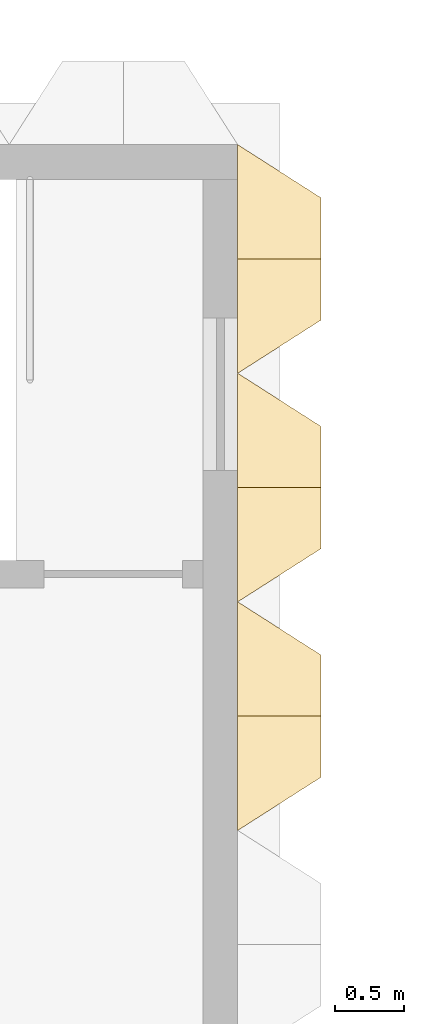
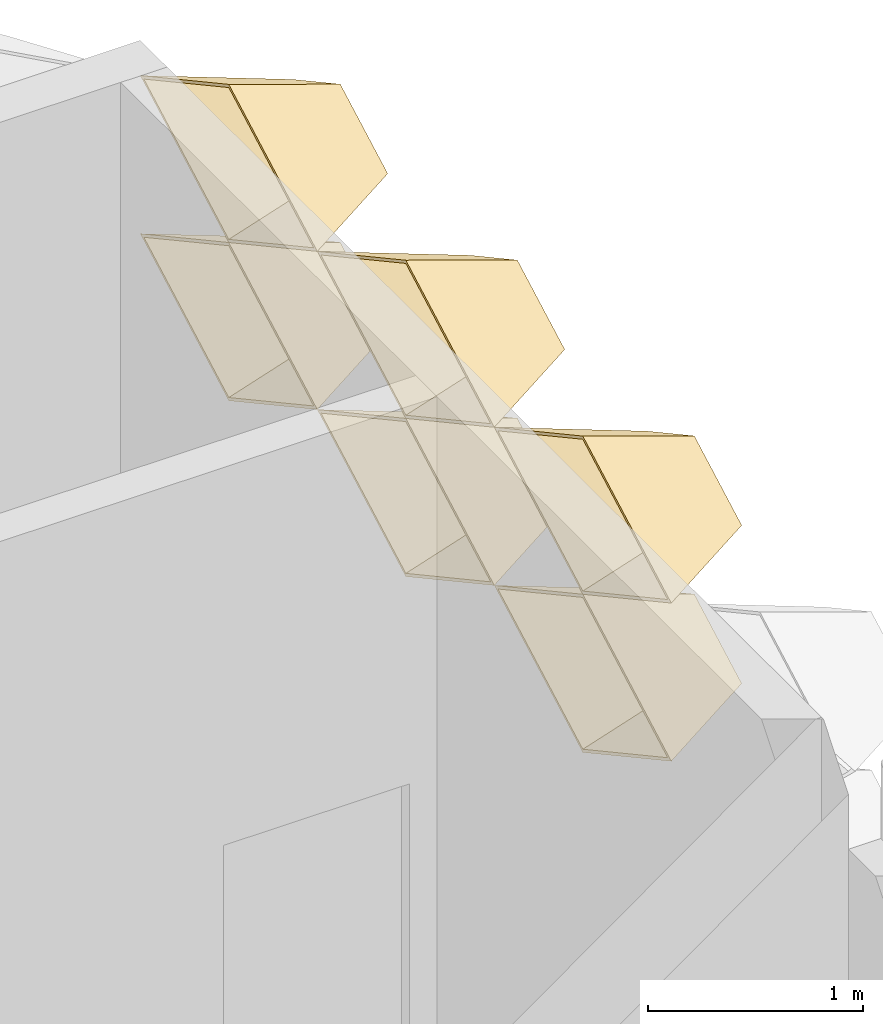
# One storey, part 84 of 85: 6 coverings.
"""IFC4 building model written with IfcOpenShell, lengths in metres."""

from ifc_helpers import new_model, entity, si_unit, direction, frame, origin, place, context, subcontext, project, spatial, material, layer, layer_set, type_object, element, save


model = new_model("IFC4")

# Units and contexts
model_context = context("Model", 3, precision=1e-05, world=origin(), true_north=direction((0.0, 1.0)))
body_context = subcontext(model_context, "Body", "Model", "MODEL_VIEW")
ifc_project = project(units=[si_unit("LENGTHUNIT", "METRE"), si_unit("AREAUNIT", "SQUARE_METRE"), si_unit("VOLUMEUNIT", "CUBIC_METRE"), si_unit("PLANEANGLEUNIT", "RADIAN"), si_unit("MASSUNIT", "GRAM", prefix="KILO")], contexts=[model_context])

# Site, building, storey
site_placement = place(None, origin())
site = spatial("IfcSite", under=ifc_project, at=site_placement, CompositionType="ELEMENT")
building_placement = place(site_placement, origin())
building = spatial("IfcBuilding", under=site, at=building_placement, Name="Lantern Court Research Institute", CompositionType="ELEMENT")
storey_placement = place(building_placement, frame((0.0, 0.0, 18.89990234375)))
storey = spatial("IfcBuildingStorey", under=building, at=storey_placement, Name="L04", CompositionType="ELEMENT", Elevation=18.89990234375)

# Coverings
ifc_material = material(Name="Anodised aluminium", Category="aluminium")
ifc_layer = layer(ifc_material, 0.01611328125)
ifc_layer_set = layer_set([ifc_layer], Name="Anodised aluminium")
covering_type = type_object("IfcCoveringType", Name="Fin cassette 1650 x 900 x 600 aluminium", PredefinedType="CLADDING", material=ifc_layer_set)
covering_1_placement = place(storey_placement, frame((79.199951171875, 94.875, 3.150146484375), z_axis=(1.0, 0.0, 0.0), x_axis=(0.0, 1.0, 0.0)))
cartesian_point_1 = entity("IfcCartesianPoint", [0.824951171875, 0.0])
cartesian_point_2 = entity("IfcCartesianPoint", [0.79150390625, 0.0])
cartesian_point_3 = entity("IfcCartesianPoint", [0.44189453125, 0.0])
cartesian_point_4 = entity("IfcCartesianPoint", [0.43359375, 0.0])
element("IfcCovering", 1, at=covering_1_placement, inside=storey, type_object=covering_type, Name="Fin cassette V6E-L04 4.58", PredefinedType="CLADDING", context=body_context, shape_type="SweptSolid", body=[
    entity("IfcExtrudedAreaSolidTapered", entity("IfcArbitraryProfileDefWithVoids", "AREA", None, entity("IfcPolyline", [cartesian_point_1, entity("IfcCartesianPoint", [0.0, 0.449951171875]), entity("IfcCartesianPoint", [-0.824951171875, 0.0]), entity("IfcCartesianPoint", [0.0, -0.449951171875]), cartesian_point_1]), [entity("IfcPolyline", [cartesian_point_2, entity("IfcCartesianPoint", [0.0, 0.431884765625]), entity("IfcCartesianPoint", [-0.79150390625, 0.0]), entity("IfcCartesianPoint", [0.0, -0.431884765625]), cartesian_point_2])]), entity("IfcAxis2Placement3D", entity("IfcCartesianPoint", [0.0, 0.0, 0.0])), entity("IfcDirection", [0.0, 0.0, 1.0]), 0.60009765625, entity("IfcArbitraryProfileDefWithVoids", "AREA", None, entity("IfcPolyline", [cartesian_point_3, entity("IfcCartesianPoint", [0.0, 0.240966796875]), entity("IfcCartesianPoint", [-0.44189453125, 0.0]), entity("IfcCartesianPoint", [0.0, -0.240966796875]), cartesian_point_3]), [entity("IfcPolyline", [cartesian_point_4, entity("IfcCartesianPoint", [0.0, 0.236572265625]), entity("IfcCartesianPoint", [-0.43359375, 0.0]), entity("IfcCartesianPoint", [0.0, -0.236572265625]), cartesian_point_4])])),
])
covering_2_placement = place(storey_placement, frame((79.199951171875, 96.52490234375, 3.150146484375), z_axis=(1.0, 0.0, 0.0), x_axis=(0.0, 1.0, 0.0)))
cartesian_point_5 = entity("IfcCartesianPoint", [0.824951171875, 0.0])
cartesian_point_6 = entity("IfcCartesianPoint", [0.79150390625, 0.0])
cartesian_point_7 = entity("IfcCartesianPoint", [0.44189453125, 0.0])
cartesian_point_8 = entity("IfcCartesianPoint", [0.43359375, 0.0])
element("IfcCovering", 2, at=covering_2_placement, inside=storey, type_object=covering_type, Name="Fin cassette V6E-L04 4.59", PredefinedType="CLADDING", context=body_context, shape_type="SweptSolid", body=[
    entity("IfcExtrudedAreaSolidTapered", entity("IfcArbitraryProfileDefWithVoids", "AREA", None, entity("IfcPolyline", [cartesian_point_5, entity("IfcCartesianPoint", [0.0, 0.449951171875]), entity("IfcCartesianPoint", [-0.824951171875, 0.0]), entity("IfcCartesianPoint", [0.0, -0.449951171875]), cartesian_point_5]), [entity("IfcPolyline", [cartesian_point_6, entity("IfcCartesianPoint", [0.0, 0.431884765625]), entity("IfcCartesianPoint", [-0.79150390625, 0.0]), entity("IfcCartesianPoint", [0.0, -0.431884765625]), cartesian_point_6])]), entity("IfcAxis2Placement3D", entity("IfcCartesianPoint", [0.0, 0.0, 0.0])), entity("IfcDirection", [0.0, 0.0, 1.0]), 0.60009765625, entity("IfcArbitraryProfileDefWithVoids", "AREA", None, entity("IfcPolyline", [cartesian_point_7, entity("IfcCartesianPoint", [0.0, 0.240966796875]), entity("IfcCartesianPoint", [-0.44189453125, 0.0]), entity("IfcCartesianPoint", [0.0, -0.240966796875]), cartesian_point_7]), [entity("IfcPolyline", [cartesian_point_8, entity("IfcCartesianPoint", [0.0, 0.236572265625]), entity("IfcCartesianPoint", [-0.43359375, 0.0]), entity("IfcCartesianPoint", [0.0, -0.236572265625]), cartesian_point_8])])),
])
covering_3_placement = place(storey_placement, frame((79.199951171875, 98.175048828125, 3.150146484375), z_axis=(1.0, 0.0, 0.0), x_axis=(0.0, 1.0, 0.0)))
cartesian_point_9 = entity("IfcCartesianPoint", [0.824951171875, 0.0])
cartesian_point_10 = entity("IfcCartesianPoint", [0.79150390625, 0.0])
cartesian_point_11 = entity("IfcCartesianPoint", [0.44189453125, 0.0])
cartesian_point_12 = entity("IfcCartesianPoint", [0.43359375, 0.0])
element("IfcCovering", 3, at=covering_3_placement, inside=storey, type_object=covering_type, Name="Fin cassette V6E-L04 4.60", PredefinedType="CLADDING", context=body_context, shape_type="SweptSolid", body=[
    entity("IfcExtrudedAreaSolidTapered", entity("IfcArbitraryProfileDefWithVoids", "AREA", None, entity("IfcPolyline", [cartesian_point_9, entity("IfcCartesianPoint", [0.0, 0.449951171875]), entity("IfcCartesianPoint", [-0.824951171875, 0.0]), entity("IfcCartesianPoint", [0.0, -0.449951171875]), cartesian_point_9]), [entity("IfcPolyline", [cartesian_point_10, entity("IfcCartesianPoint", [0.0, 0.431884765625]), entity("IfcCartesianPoint", [-0.79150390625, 0.0]), entity("IfcCartesianPoint", [0.0, -0.431884765625]), cartesian_point_10])]), entity("IfcAxis2Placement3D", entity("IfcCartesianPoint", [0.0, 0.0, 0.0])), entity("IfcDirection", [0.0, 0.0, 1.0]), 0.60009765625, entity("IfcArbitraryProfileDefWithVoids", "AREA", None, entity("IfcPolyline", [cartesian_point_11, entity("IfcCartesianPoint", [0.0, 0.240966796875]), entity("IfcCartesianPoint", [-0.44189453125, 0.0]), entity("IfcCartesianPoint", [0.0, -0.240966796875]), cartesian_point_11]), [entity("IfcPolyline", [cartesian_point_12, entity("IfcCartesianPoint", [0.0, 0.236572265625]), entity("IfcCartesianPoint", [-0.43359375, 0.0]), entity("IfcCartesianPoint", [0.0, -0.236572265625]), cartesian_point_12])])),
])
covering_4_placement = place(storey_placement, frame((79.199951171875, 94.875, 4.050048828125), z_axis=(1.0, 0.0, 0.0), x_axis=(0.0, 1.0, 0.0)))
cartesian_point_13 = entity("IfcCartesianPoint", [0.824951171875, 0.0])
cartesian_point_14 = entity("IfcCartesianPoint", [0.79150390625, 0.0])
cartesian_point_15 = entity("IfcCartesianPoint", [0.44189453125, 0.0])
cartesian_point_16 = entity("IfcCartesianPoint", [0.43359375, 0.0])
element("IfcCovering", 4, at=covering_4_placement, inside=storey, type_object=covering_type, Name="Fin cassette V6E-L04 5.58", PredefinedType="CLADDING", context=body_context, shape_type="SweptSolid", body=[
    entity("IfcExtrudedAreaSolidTapered", entity("IfcArbitraryProfileDefWithVoids", "AREA", None, entity("IfcPolyline", [cartesian_point_13, entity("IfcCartesianPoint", [0.0, 0.449951171875]), entity("IfcCartesianPoint", [-0.824951171875, 0.0]), entity("IfcCartesianPoint", [0.0, -0.449951171875]), cartesian_point_13]), [entity("IfcPolyline", [cartesian_point_14, entity("IfcCartesianPoint", [0.0, 0.431884765625]), entity("IfcCartesianPoint", [-0.79150390625, 0.0]), entity("IfcCartesianPoint", [0.0, -0.431884765625]), cartesian_point_14])]), entity("IfcAxis2Placement3D", entity("IfcCartesianPoint", [0.0, 0.0, 0.0])), entity("IfcDirection", [0.0, 0.0, 1.0]), 0.60009765625, entity("IfcArbitraryProfileDefWithVoids", "AREA", None, entity("IfcPolyline", [cartesian_point_15, entity("IfcCartesianPoint", [0.0, 0.240966796875]), entity("IfcCartesianPoint", [-0.44189453125, 0.0]), entity("IfcCartesianPoint", [0.0, -0.240966796875]), cartesian_point_15]), [entity("IfcPolyline", [cartesian_point_16, entity("IfcCartesianPoint", [0.0, 0.236572265625]), entity("IfcCartesianPoint", [-0.43359375, 0.0]), entity("IfcCartesianPoint", [0.0, -0.236572265625]), cartesian_point_16])])),
])
covering_5_placement = place(storey_placement, frame((79.199951171875, 96.52490234375, 4.050048828125), z_axis=(1.0, 0.0, 0.0), x_axis=(0.0, 1.0, 0.0)))
cartesian_point_17 = entity("IfcCartesianPoint", [0.824951171875, 0.0])
cartesian_point_18 = entity("IfcCartesianPoint", [0.79150390625, 0.0])
cartesian_point_19 = entity("IfcCartesianPoint", [0.44189453125, 0.0])
cartesian_point_20 = entity("IfcCartesianPoint", [0.43359375, 0.0])
element("IfcCovering", 5, at=covering_5_placement, inside=storey, type_object=covering_type, Name="Fin cassette V6E-L04 5.59", PredefinedType="CLADDING", context=body_context, shape_type="SweptSolid", body=[
    entity("IfcExtrudedAreaSolidTapered", entity("IfcArbitraryProfileDefWithVoids", "AREA", None, entity("IfcPolyline", [cartesian_point_17, entity("IfcCartesianPoint", [0.0, 0.449951171875]), entity("IfcCartesianPoint", [-0.824951171875, 0.0]), entity("IfcCartesianPoint", [0.0, -0.449951171875]), cartesian_point_17]), [entity("IfcPolyline", [cartesian_point_18, entity("IfcCartesianPoint", [0.0, 0.431884765625]), entity("IfcCartesianPoint", [-0.79150390625, 0.0]), entity("IfcCartesianPoint", [0.0, -0.431884765625]), cartesian_point_18])]), entity("IfcAxis2Placement3D", entity("IfcCartesianPoint", [0.0, 0.0, 0.0])), entity("IfcDirection", [0.0, 0.0, 1.0]), 0.60009765625, entity("IfcArbitraryProfileDefWithVoids", "AREA", None, entity("IfcPolyline", [cartesian_point_19, entity("IfcCartesianPoint", [0.0, 0.240966796875]), entity("IfcCartesianPoint", [-0.44189453125, 0.0]), entity("IfcCartesianPoint", [0.0, -0.240966796875]), cartesian_point_19]), [entity("IfcPolyline", [cartesian_point_20, entity("IfcCartesianPoint", [0.0, 0.236572265625]), entity("IfcCartesianPoint", [-0.43359375, 0.0]), entity("IfcCartesianPoint", [0.0, -0.236572265625]), cartesian_point_20])])),
])
covering_6_placement = place(storey_placement, frame((79.199951171875, 98.175048828125, 4.050048828125), z_axis=(1.0, 0.0, 0.0), x_axis=(0.0, 1.0, 0.0)))
cartesian_point_21 = entity("IfcCartesianPoint", [0.824951171875, 0.0])
cartesian_point_22 = entity("IfcCartesianPoint", [0.79150390625, 0.0])
cartesian_point_23 = entity("IfcCartesianPoint", [0.44189453125, 0.0])
cartesian_point_24 = entity("IfcCartesianPoint", [0.43359375, 0.0])
element("IfcCovering", 6, at=covering_6_placement, inside=storey, type_object=covering_type, Name="Fin cassette V6E-L04 5.60", PredefinedType="CLADDING", context=body_context, shape_type="SweptSolid", body=[
    entity("IfcExtrudedAreaSolidTapered", entity("IfcArbitraryProfileDefWithVoids", "AREA", None, entity("IfcPolyline", [cartesian_point_21, entity("IfcCartesianPoint", [0.0, 0.449951171875]), entity("IfcCartesianPoint", [-0.824951171875, 0.0]), entity("IfcCartesianPoint", [0.0, -0.449951171875]), cartesian_point_21]), [entity("IfcPolyline", [cartesian_point_22, entity("IfcCartesianPoint", [0.0, 0.431884765625]), entity("IfcCartesianPoint", [-0.79150390625, 0.0]), entity("IfcCartesianPoint", [0.0, -0.431884765625]), cartesian_point_22])]), entity("IfcAxis2Placement3D", entity("IfcCartesianPoint", [0.0, 0.0, 0.0])), entity("IfcDirection", [0.0, 0.0, 1.0]), 0.60009765625, entity("IfcArbitraryProfileDefWithVoids", "AREA", None, entity("IfcPolyline", [cartesian_point_23, entity("IfcCartesianPoint", [0.0, 0.240966796875]), entity("IfcCartesianPoint", [-0.44189453125, 0.0]), entity("IfcCartesianPoint", [0.0, -0.240966796875]), cartesian_point_23]), [entity("IfcPolyline", [cartesian_point_24, entity("IfcCartesianPoint", [0.0, 0.236572265625]), entity("IfcCartesianPoint", [-0.43359375, 0.0]), entity("IfcCartesianPoint", [0.0, -0.236572265625]), cartesian_point_24])])),
])

save(model, "model.ifc")
